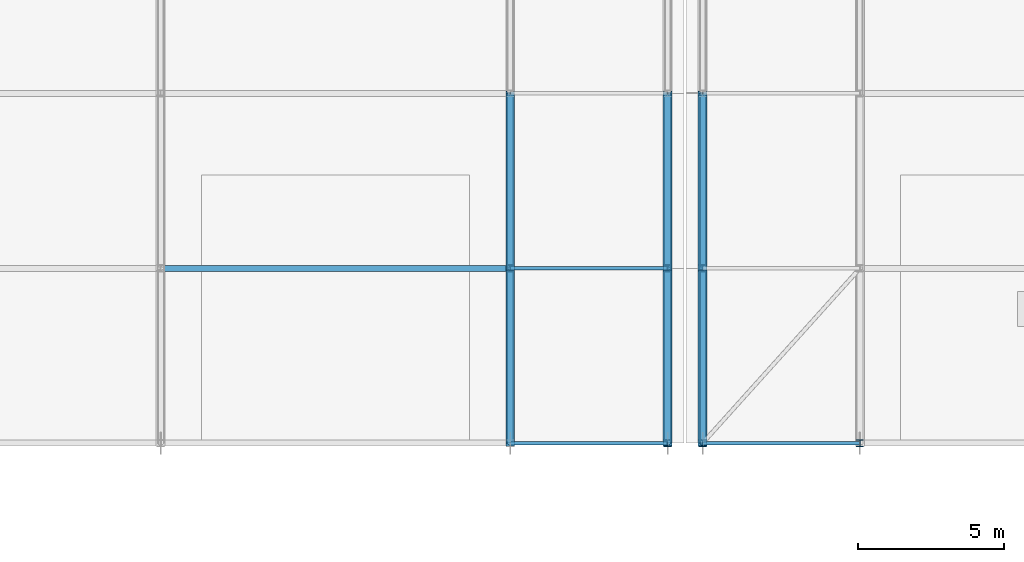
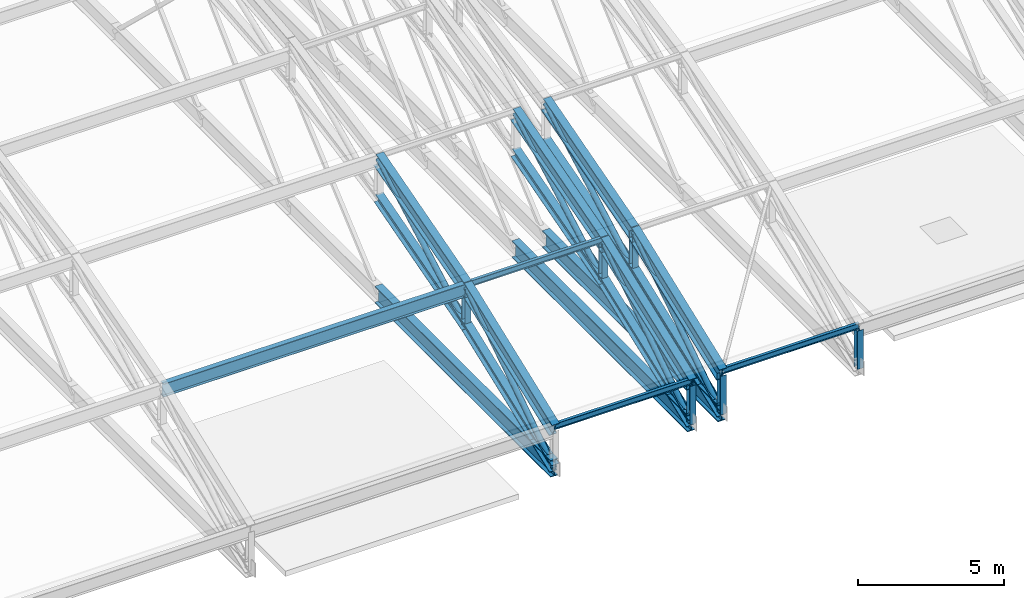
# One storey, part 119 of 204: 31 members.
"""IFC4 building model written with IfcOpenShell, lengths in metres."""

from ifc_helpers import new_model, si_unit, direction, frame, origin, origin_2d, place, context, subcontext, project, spatial, hollow_circle, i_section, extrude, material, material_profile, profile_set, type_object, element, save


model = new_model("IFC4")

# Units and contexts
model_context = context("Model", 3, precision=1e-05, world=origin(), true_north=direction((0.0, 1.0)))
body_context = subcontext(model_context, "Body", "Model", "MODEL_VIEW")
ifc_project = project(units=[si_unit("LENGTHUNIT", "METRE"), si_unit("AREAUNIT", "SQUARE_METRE"), si_unit("VOLUMEUNIT", "CUBIC_METRE"), si_unit("PLANEANGLEUNIT", "RADIAN"), si_unit("MASSUNIT", "GRAM", prefix="KILO")], contexts=[model_context])

# Site, building, storey
site_placement = place(None, origin())
site = spatial("IfcSite", under=ifc_project, at=site_placement, CompositionType="ELEMENT")
building_placement = place(site_placement, origin())
building = spatial("IfcBuilding", under=site, at=building_placement, Name="Zilviju Railside Exhibition Hall", CompositionType="ELEMENT")
storey_placement = place(building_placement, frame((0.0, 0.0, 21.0)))
storey = spatial("IfcBuildingStorey", under=building, at=storey_placement, Name="RF", CompositionType="ELEMENT", Elevation=21.0)

# Members
ifc_material = material(Name="Steel S355J2", Category="steel")
ifc_material_profile_1 = material_profile(ifc_material, hollow_circle(Radius=0.109619140625, WallThickness=0.010009765625, at=origin_2d()), Name="CHS 219.1x10.0")
ifc_profile_set_1 = profile_set([ifc_material_profile_1], Name="Steel S355J2")
member_type_1 = type_object("IfcMemberType", Name="TR-BR-CHS219", PredefinedType="BRACE", material=ifc_profile_set_1)
member_1_placement = place(storey_placement, frame((168.0, 84.0, -3.60009765625), z_axis=(0.0, 0.838995406637, 0.544138500423), x_axis=(-1.0, 0.0, 0.0)))
element("IfcMember", 1, at=member_1_placement, inside=storey, type_object=member_type_1, Name="V2 Parabolic Arch Web Diagonal X=168.0 P1", PredefinedType="BRACE", context=body_context, shape_type="SweptSolid", body=[
    extrude(hollow_circle(Radius=0.109619140625, WallThickness=0.010009765625, at=origin_2d()), origin(), (0.0, 0.0, 1.0), 7.1513671875),
])
member_2_placement = place(storey_placement, frame((168.0, 90.0, -1.30859375), z_axis=(0.0, 0.8750828143, 0.483973210122), x_axis=(-1.0, 0.0, 0.0)))
element("IfcMember", 2, at=member_2_placement, inside=storey, type_object=member_type_1, Name="V2 Parabolic Arch Web Diagonal X=168.0 P2", PredefinedType="BRACE", context=body_context, shape_type="SweptSolid", body=[
    extrude(hollow_circle(Radius=0.109619140625, WallThickness=0.010009765625, at=origin_2d()), origin(), (0.0, 0.0, 1.0), 6.8564453125),
])
member_3_placement = place(storey_placement, frame((173.39990234375, 84.0, -3.60009765625), z_axis=(0.0, 0.838995406637, 0.544138500423), x_axis=(-1.0, 0.0, 0.0)))
element("IfcMember", 3, at=member_3_placement, inside=storey, type_object=member_type_1, Name="V2 Parabolic Arch Web Diagonal X=173.4 P1", PredefinedType="BRACE", context=body_context, shape_type="SweptSolid", body=[
    extrude(hollow_circle(Radius=0.109619140625, WallThickness=0.010009765625, at=origin_2d()), origin(), (0.0, 0.0, 1.0), 7.1513671875),
])
member_4_placement = place(storey_placement, frame((173.39990234375, 90.0, -1.30859375), z_axis=(0.0, 0.8750828143, 0.483973210122), x_axis=(-1.0, 0.0, 0.0)))
element("IfcMember", 4, at=member_4_placement, inside=storey, type_object=member_type_1, Name="V2 Parabolic Arch Web Diagonal X=173.4 P2", PredefinedType="BRACE", context=body_context, shape_type="SweptSolid", body=[
    extrude(hollow_circle(Radius=0.109619140625, WallThickness=0.010009765625, at=origin_2d()), origin(), (0.0, 0.0, 1.0), 6.8564453125),
])
member_5_placement = place(storey_placement, frame((174.60009765625, 84.0, -3.60009765625), z_axis=(0.0, 0.838995406637, 0.544138500423), x_axis=(-1.0, 0.0, 0.0)))
element("IfcMember", 5, at=member_5_placement, inside=storey, type_object=member_type_1, Name="V2 Parabolic Arch Web Diagonal X=174.6 P1", PredefinedType="BRACE", context=body_context, shape_type="SweptSolid", body=[
    extrude(hollow_circle(Radius=0.109619140625, WallThickness=0.010009765625, at=origin_2d()), origin(), (0.0, 0.0, 1.0), 7.1513671875),
])
member_6_placement = place(storey_placement, frame((174.60009765625, 90.0, -1.30859375), z_axis=(0.0, 0.8750828143, 0.483973210122), x_axis=(-1.0, 0.0, 0.0)))
element("IfcMember", 6, at=member_6_placement, inside=storey, type_object=member_type_1, Name="V2 Parabolic Arch Web Diagonal X=174.6 P2", PredefinedType="BRACE", context=body_context, shape_type="SweptSolid", body=[
    extrude(hollow_circle(Radius=0.109619140625, WallThickness=0.010009765625, at=origin_2d()), origin(), (0.0, 0.0, 1.0), 6.8564453125),
])
ifc_material_profile_2 = material_profile(ifc_material, i_section(OverallWidth=0.300048828125, OverallDepth=0.39990234375, WebThickness=0.013427734375, FlangeThickness=0.02392578125, at=origin_2d()), Name="HEB 400")
ifc_profile_set_2 = profile_set([ifc_material_profile_2], Name="Steel S355J2")
member_type_2 = type_object("IfcMemberType", Name="TR-CH-HEB400", PredefinedType="CHORD", material=ifc_profile_set_2)
member_7_placement = place(storey_placement, frame((168.0, 84.0, -3.60009765625), z_axis=(0.0, 0.934187521086, 0.35678239229), x_axis=(-1.0, 0.0, 0.0)))
element("IfcMember", 7, at=member_7_placement, inside=storey, type_object=member_type_2, Name="V2 Parabolic Arch Bottom Chord X=168.0 P1", PredefinedType="CHORD", context=body_context, shape_type="SweptSolid", body=[
    extrude(i_section(OverallWidth=0.300048828125, OverallDepth=0.39990234375, WebThickness=0.013427734375, FlangeThickness=0.02392578125, at=origin_2d()), origin(), (0.0, 0.0, 1.0), 6.422607421875),
])
member_8_placement = place(storey_placement, frame((168.0, 90.0, -1.30859375), z_axis=(0.0, 0.961345133658, 0.275346207512), x_axis=(-1.0, 0.0, 0.0)))
element("IfcMember", 8, at=member_8_placement, inside=storey, type_object=member_type_2, Name="V2 Parabolic Arch Bottom Chord X=168.0 P2", PredefinedType="CHORD", context=body_context, shape_type="SweptSolid", body=[
    extrude(i_section(OverallWidth=0.300048828125, OverallDepth=0.39990234375, WebThickness=0.013427734375, FlangeThickness=0.02392578125, at=origin_2d()), origin(), (0.0, 0.0, 1.0), 6.2412109375),
])
member_9_placement = place(storey_placement, frame((173.39990234375, 84.0, -3.60009765625), z_axis=(0.0, 0.934187521086, 0.35678239229), x_axis=(-1.0, 0.0, 0.0)))
element("IfcMember", 9, at=member_9_placement, inside=storey, type_object=member_type_2, Name="V2 Parabolic Arch Bottom Chord X=173.4 P1", PredefinedType="CHORD", context=body_context, shape_type="SweptSolid", body=[
    extrude(i_section(OverallWidth=0.300048828125, OverallDepth=0.39990234375, WebThickness=0.013427734375, FlangeThickness=0.02392578125, at=origin_2d()), origin(), (0.0, 0.0, 1.0), 6.422607421875),
])
member_10_placement = place(storey_placement, frame((173.39990234375, 90.0, -1.30859375), z_axis=(0.0, 0.961345133658, 0.275346207512), x_axis=(-1.0, 0.0, 0.0)))
element("IfcMember", 10, at=member_10_placement, inside=storey, type_object=member_type_2, Name="V2 Parabolic Arch Bottom Chord X=173.4 P2", PredefinedType="CHORD", context=body_context, shape_type="SweptSolid", body=[
    extrude(i_section(OverallWidth=0.300048828125, OverallDepth=0.39990234375, WebThickness=0.013427734375, FlangeThickness=0.02392578125, at=origin_2d()), origin(), (0.0, 0.0, 1.0), 6.2412109375),
])
member_11_placement = place(storey_placement, frame((174.60009765625, 84.0, -3.60009765625), z_axis=(0.0, 0.934187521086, 0.35678239229), x_axis=(-1.0, 0.0, 0.0)))
element("IfcMember", 11, at=member_11_placement, inside=storey, type_object=member_type_2, Name="V2 Parabolic Arch Bottom Chord X=174.6 P1", PredefinedType="CHORD", context=body_context, shape_type="SweptSolid", body=[
    extrude(i_section(OverallWidth=0.300048828125, OverallDepth=0.39990234375, WebThickness=0.013427734375, FlangeThickness=0.02392578125, at=origin_2d()), origin(), (0.0, 0.0, 1.0), 6.422607421875),
])
member_12_placement = place(storey_placement, frame((174.60009765625, 90.0, -1.30859375), z_axis=(0.0, 0.961345133658, 0.275346207512), x_axis=(-1.0, 0.0, 0.0)))
element("IfcMember", 12, at=member_12_placement, inside=storey, type_object=member_type_2, Name="V2 Parabolic Arch Bottom Chord X=174.6 P2", PredefinedType="CHORD", context=body_context, shape_type="SweptSolid", body=[
    extrude(i_section(OverallWidth=0.300048828125, OverallDepth=0.39990234375, WebThickness=0.013427734375, FlangeThickness=0.02392578125, at=origin_2d()), origin(), (0.0, 0.0, 1.0), 6.2412109375),
])
ifc_material_profile_3 = material_profile(ifc_material, i_section(OverallWidth=0.300048828125, OverallDepth=0.60009765625, WebThickness=0.015380859375, FlangeThickness=0.030029296875, at=origin_2d()), Name="HEB 600")
ifc_profile_set_3 = profile_set([ifc_material_profile_3], Name="Steel S355J2")
member_type_3 = type_object("IfcMemberType", Name="TR-CH-HEB600", PredefinedType="CHORD", material=ifc_profile_set_3)
member_13_placement = place(storey_placement, frame((168.0, 84.0, -2.0), z_axis=(0.0, 0.934200190194, 0.356749218138), x_axis=(-1.0, 0.0, 0.0)))
element("IfcMember", 13, at=member_13_placement, inside=storey, type_object=member_type_3, Name="V2 Parabolic Arch Top Chord X=168.0 P1", PredefinedType="CHORD", context=body_context, shape_type="SweptSolid", body=[
    extrude(i_section(OverallWidth=0.300048828125, OverallDepth=0.60009765625, WebThickness=0.015380859375, FlangeThickness=0.030029296875, at=origin_2d()), origin(), (0.0, 0.0, 1.0), 6.422607421875),
])
member_14_placement = place(storey_placement, frame((168.0, 90.0, 0.291259765625), z_axis=(0.0, 0.961345133658, 0.275346207512), x_axis=(-1.0, 0.0, 0.0)))
element("IfcMember", 14, at=member_14_placement, inside=storey, type_object=member_type_3, Name="V2 Parabolic Arch Top Chord X=168.0 P2", PredefinedType="CHORD", context=body_context, shape_type="SweptSolid", body=[
    extrude(i_section(OverallWidth=0.300048828125, OverallDepth=0.60009765625, WebThickness=0.015380859375, FlangeThickness=0.030029296875, at=origin_2d()), origin(), (0.0, 0.0, 1.0), 6.2412109375),
])
member_15_placement = place(storey_placement, frame((173.39990234375, 84.0, -2.0), z_axis=(0.0, 0.934200190194, 0.356749218138), x_axis=(-1.0, 0.0, 0.0)))
element("IfcMember", 15, at=member_15_placement, inside=storey, type_object=member_type_3, Name="V2 Parabolic Arch Top Chord X=173.4 P1", PredefinedType="CHORD", context=body_context, shape_type="SweptSolid", body=[
    extrude(i_section(OverallWidth=0.300048828125, OverallDepth=0.60009765625, WebThickness=0.015380859375, FlangeThickness=0.030029296875, at=origin_2d()), origin(), (0.0, 0.0, 1.0), 6.422607421875),
])
member_16_placement = place(storey_placement, frame((173.39990234375, 90.0, 0.291259765625), z_axis=(0.0, 0.961345133658, 0.275346207512), x_axis=(-1.0, 0.0, 0.0)))
element("IfcMember", 16, at=member_16_placement, inside=storey, type_object=member_type_3, Name="V2 Parabolic Arch Top Chord X=173.4 P2", PredefinedType="CHORD", context=body_context, shape_type="SweptSolid", body=[
    extrude(i_section(OverallWidth=0.300048828125, OverallDepth=0.60009765625, WebThickness=0.015380859375, FlangeThickness=0.030029296875, at=origin_2d()), origin(), (0.0, 0.0, 1.0), 6.2412109375),
])
member_17_placement = place(storey_placement, frame((174.60009765625, 84.0, -2.0), z_axis=(0.0, 0.934200190194, 0.356749218138), x_axis=(-1.0, 0.0, 0.0)))
element("IfcMember", 17, at=member_17_placement, inside=storey, type_object=member_type_3, Name="V2 Parabolic Arch Top Chord X=174.6 P1", PredefinedType="CHORD", context=body_context, shape_type="SweptSolid", body=[
    extrude(i_section(OverallWidth=0.300048828125, OverallDepth=0.60009765625, WebThickness=0.015380859375, FlangeThickness=0.030029296875, at=origin_2d()), origin(), (0.0, 0.0, 1.0), 6.422607421875),
])
member_18_placement = place(storey_placement, frame((174.60009765625, 90.0, 0.291259765625), z_axis=(0.0, 0.961345133658, 0.275346207512), x_axis=(-1.0, 0.0, 0.0)))
element("IfcMember", 18, at=member_18_placement, inside=storey, type_object=member_type_3, Name="V2 Parabolic Arch Top Chord X=174.6 P2", PredefinedType="CHORD", context=body_context, shape_type="SweptSolid", body=[
    extrude(i_section(OverallWidth=0.300048828125, OverallDepth=0.60009765625, WebThickness=0.015380859375, FlangeThickness=0.030029296875, at=origin_2d()), origin(), (0.0, 0.0, 1.0), 6.2412109375),
])
ifc_material_profile_4 = material_profile(ifc_material, i_section(OverallWidth=0.239990234375, OverallDepth=0.22998046875, WebThickness=0.007568359375, FlangeThickness=0.011962890625, at=origin_2d()), Name="HEA 240")
ifc_profile_set_4 = profile_set([ifc_material_profile_4], Name="Steel S355J2")
member_type_4 = type_object("IfcMemberType", Name="TR-POST-HEA240", PredefinedType="POST", material=ifc_profile_set_4)
member_19_placement = place(storey_placement, frame((168.0, 90.0, -1.30859375), z_axis=(0.0, 0.0, 1.0), x_axis=(1.0, 0.0, 0.0)))
element("IfcMember", 19, at=member_19_placement, inside=storey, type_object=member_type_4, Name="V2 Parabolic Arch Web Post X=168.0 N1", PredefinedType="POST", context=body_context, shape_type="SweptSolid", body=[
    extrude(i_section(OverallWidth=0.239990234375, OverallDepth=0.22998046875, WebThickness=0.007568359375, FlangeThickness=0.011962890625, at=origin_2d()), origin(), (0.0, 0.0, 1.0), 1.599853515625),
])
member_20_placement = place(storey_placement, frame((173.39990234375, 84.0, -3.60009765625), z_axis=(0.0, 0.0, 1.0), x_axis=(1.0, 0.0, 0.0)))
element("IfcMember", 20, at=member_20_placement, inside=storey, type_object=member_type_4, Name="V2 Parabolic Arch Web Post X=173.4 N0", PredefinedType="POST", context=body_context, shape_type="SweptSolid", body=[
    extrude(i_section(OverallWidth=0.239990234375, OverallDepth=0.22998046875, WebThickness=0.007568359375, FlangeThickness=0.011962890625, at=origin_2d()), origin(), (0.0, 0.0, 1.0), 1.60009765625),
])
member_21_placement = place(storey_placement, frame((173.39990234375, 90.0, -1.30859375), z_axis=(0.0, 0.0, 1.0), x_axis=(1.0, 0.0, 0.0)))
element("IfcMember", 21, at=member_21_placement, inside=storey, type_object=member_type_4, Name="V2 Parabolic Arch Web Post X=173.4 N1", PredefinedType="POST", context=body_context, shape_type="SweptSolid", body=[
    extrude(i_section(OverallWidth=0.239990234375, OverallDepth=0.22998046875, WebThickness=0.007568359375, FlangeThickness=0.011962890625, at=origin_2d()), origin(), (0.0, 0.0, 1.0), 1.599853515625),
])
member_22_placement = place(storey_placement, frame((174.60009765625, 84.0, -3.60009765625), z_axis=(0.0, 0.0, 1.0), x_axis=(1.0, 0.0, 0.0)))
element("IfcMember", 22, at=member_22_placement, inside=storey, type_object=member_type_4, Name="V2 Parabolic Arch Web Post X=174.6 N0", PredefinedType="POST", context=body_context, shape_type="SweptSolid", body=[
    extrude(i_section(OverallWidth=0.239990234375, OverallDepth=0.22998046875, WebThickness=0.007568359375, FlangeThickness=0.011962890625, at=origin_2d()), origin(), (0.0, 0.0, 1.0), 1.60009765625),
])
member_23_placement = place(storey_placement, frame((174.60009765625, 90.0, -1.30859375), z_axis=(0.0, 0.0, 1.0), x_axis=(1.0, 0.0, 0.0)))
element("IfcMember", 23, at=member_23_placement, inside=storey, type_object=member_type_4, Name="V2 Parabolic Arch Web Post X=174.6 N1", PredefinedType="POST", context=body_context, shape_type="SweptSolid", body=[
    extrude(i_section(OverallWidth=0.239990234375, OverallDepth=0.22998046875, WebThickness=0.007568359375, FlangeThickness=0.011962890625, at=origin_2d()), origin(), (0.0, 0.0, 1.0), 1.599853515625),
])
member_24_placement = place(storey_placement, frame((180.0, 84.0, -3.60009765625), z_axis=(0.0, 0.0, 1.0), x_axis=(1.0, 0.0, 0.0)))
element("IfcMember", 24, at=member_24_placement, inside=storey, type_object=member_type_4, Name="V2 Parabolic Arch Web Post X=180.0 N0", PredefinedType="POST", context=body_context, shape_type="SweptSolid", body=[
    extrude(i_section(OverallWidth=0.239990234375, OverallDepth=0.22998046875, WebThickness=0.007568359375, FlangeThickness=0.011962890625, at=origin_2d()), origin(), (0.0, 0.0, 1.0), 1.60009765625),
])
ifc_material_profile_5 = material_profile(ifc_material, i_section(OverallWidth=0.1201171875, OverallDepth=0.239990234375, WebThickness=0.006103515625, FlangeThickness=0.009765625, at=origin_2d()), Name="IPE 240")
ifc_profile_set_5 = profile_set([ifc_material_profile_5], Name="Steel S355J2")
member_type_5 = type_object("IfcMemberType", Name="TR-PUR-IPE240", PredefinedType="PURLIN", material=ifc_profile_set_5)
for number, where, z_axis, x_axis, name in (
    (25, (168.0, 84.0, -1.85693359375), (1.0, 0.0, 0.0), (0.0, 1.0, 0.0), "V2 Barrel Vault Roof Purlin Y=84.0 (168.0..173.4)"),
    (26, (168.0, 90.0, 0.41162109375), (1.0, 0.0, 0.0), (0.0, 1.0, 0.0), "V2 Barrel Vault Roof Purlin Y=90.0 (168.0..173.4)"),
    (27, (174.60009765625, 84.0, -1.85693359375), (1.0, 0.0, 0.0), (0.0, 1.0, 0.0), "V2 Barrel Vault Roof Purlin Y=84.0 (174.6..180.0)"),
):
    element("IfcMember", number, at=place(storey_placement, frame(where, z_axis=z_axis, x_axis=x_axis)), inside=storey, type_object=member_type_5, Name=name, PredefinedType="PURLIN", context=body_context, shape_type="SweptSolid", body=[
        extrude(i_section(OverallWidth=0.1201171875, OverallDepth=0.239990234375, WebThickness=0.006103515625, FlangeThickness=0.009765625, at=origin_2d()), origin(), (0.0, 0.0, 1.0), 5.39990234375),
    ])
ifc_material_profile_6 = material_profile(ifc_material, i_section(OverallWidth=0.2099609375, OverallDepth=0.550048828125, WebThickness=0.010986328125, FlangeThickness=0.01708984375, at=origin_2d()), Name="IPE 550")
ifc_profile_set_6 = profile_set([ifc_material_profile_6], Name="Steel S355J2")
member_type_6 = type_object("IfcMemberType", Name="TR-PUR-IPE550", PredefinedType="PURLIN", material=ifc_profile_set_6)
member_25_placement = place(storey_placement, frame((156.0, 90.0, 0.239501953125), z_axis=(1.0, 0.0, 0.0), x_axis=(0.0, 1.0, 0.0)))
element("IfcMember", 28, at=member_25_placement, inside=storey, type_object=member_type_6, Name="V2 Barrel Vault Roof Purlin Y=90.0 (156.0..168.0)", PredefinedType="PURLIN", context=body_context, shape_type="SweptSolid", body=[
    extrude(i_section(OverallWidth=0.2099609375, OverallDepth=0.550048828125, WebThickness=0.010986328125, FlangeThickness=0.01708984375, at=origin_2d()), origin(), (0.0, 0.0, 1.0), 12.0),
])
ifc_material_profile_7 = material_profile(ifc_material, i_section(OverallWidth=0.300048828125, OverallDepth=0.699951171875, WebThickness=0.01708984375, FlangeThickness=0.031982421875, at=origin_2d()), Name="HEB 700")
ifc_profile_set_7 = profile_set([ifc_material_profile_7], Name="Steel S355J2")
member_type_7 = type_object("IfcMemberType", Name="TR-TIE-HEB700", PredefinedType="CHORD", material=ifc_profile_set_7)
for number, where, z_axis, x_axis, name in (
    (29, (168.0, 84.0, -3.60009765625), (0.0, 1.0, 0.0), (-1.0, 0.0, 0.0), "V2 Arch Tie Member X=168.0"),
    (30, (173.39990234375, 84.0, -3.60009765625), (0.0, 1.0, 0.0), (-1.0, 0.0, 0.0), "V2 Arch Tie Member X=173.4"),
    (31, (174.60009765625, 84.0, -3.60009765625), (0.0, 1.0, 0.0), (-1.0, 0.0, 0.0), "V2 Arch Tie Member X=174.6"),
):
    element("IfcMember", number, at=place(storey_placement, frame(where, z_axis=z_axis, x_axis=x_axis)), inside=storey, type_object=member_type_7, Name=name, PredefinedType="CHORD", context=body_context, shape_type="SweptSolid", body=[
        extrude(i_section(OverallWidth=0.300048828125, OverallDepth=0.699951171875, WebThickness=0.01708984375, FlangeThickness=0.031982421875, at=origin_2d()), origin(), (0.0, 0.0, 1.0), 12.0),
    ])

save(model, "model.ifc")
